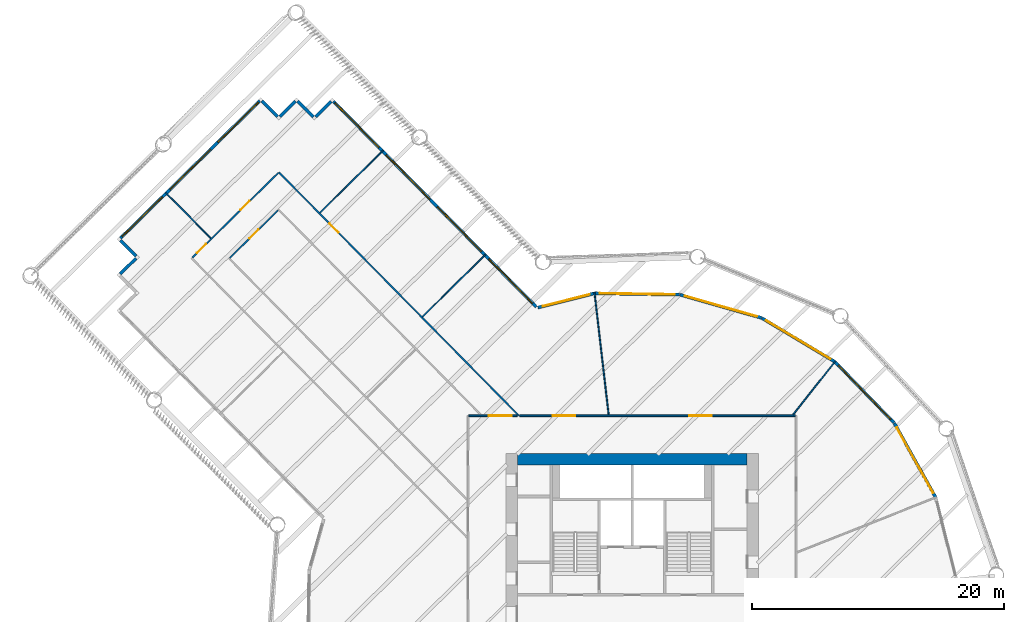
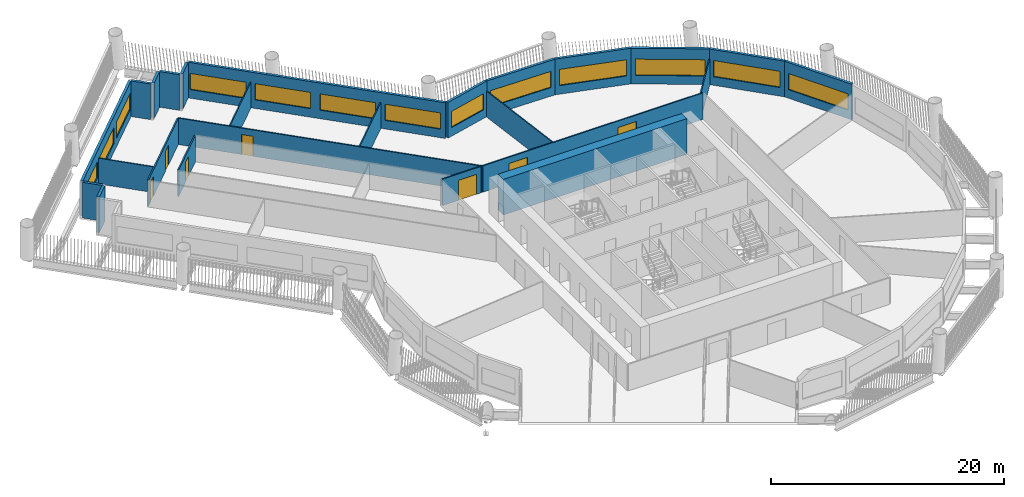
# One storey, part 7 of 15: 25 walls, 13 windows, 7 doors, 20 openings.
"""IFC4 building model written with IfcOpenShell, lengths in metres."""

from ifc_helpers import new_model, si_unit, direction, frame, frame_2d, origin, place, context, subcontext, project, spatial, rectangle, extrude, material, layer, layer_set, type_object, element, fill, save


model = new_model("IFC4")

# Units and contexts
model_context = context("Model", 3, precision=1e-05, world=origin(), true_north=direction((0.0, 1.0)))
body_context = subcontext(model_context, "Body", "Model", "MODEL_VIEW")
ifc_project = project(units=[si_unit("LENGTHUNIT", "METRE"), si_unit("AREAUNIT", "SQUARE_METRE"), si_unit("VOLUMEUNIT", "CUBIC_METRE"), si_unit("PLANEANGLEUNIT", "RADIAN"), si_unit("MASSUNIT", "GRAM", prefix="KILO")], contexts=[model_context])

# Site, building, storey
site_placement = place(None, origin())
site = spatial("IfcSite", under=ifc_project, at=site_placement, CompositionType="ELEMENT")
building_placement = place(site_placement, origin())
building = spatial("IfcBuilding", under=site, at=building_placement, Name="Tarsis Ring Headquarters", CompositionType="ELEMENT")
storey_placement = place(building_placement, frame((0.0, 0.0, 75.10009765625)))
storey = spatial("IfcBuildingStorey", under=building, at=storey_placement, Name="L16", CompositionType="ELEMENT", Elevation=75.10009765625)

# Walls
ifc_material_1 = material(Name="Concrete C60/75", Category="concrete")
ifc_layer_1 = layer(ifc_material_1, 0.89990234375)
ifc_layer_set_1 = layer_set([ifc_layer_1], Name="Core wall 900 C60/75")
wall_type_1 = type_object("IfcWallType", Name="Core wall 900 C60/75", PredefinedType="SHEAR", material=ifc_layer_set_1)
wall_1_placement = place(storey_placement, frame((-9.10009765625, 12.550048828125, 0.0), z_axis=(0.0, 0.0, 1.0), x_axis=(1.0, 0.0, 0.0)))
element("IfcWall", 1, at=wall_1_placement, inside=storey, type_object=wall_type_1, Name="Core wall ON", PredefinedType="SHEAR", context=body_context, shape_type="SweptSolid", body=[
    extrude(rectangle(XDim=18.2001953125, YDim=0.89990234375, at=frame_2d((9.10009765625, 0.0))), origin(), (0.0, 0.0, 1.0), 3.739990234375),
])
ifc_material_2 = material(Name="Gypsum board on steel studs", Category="steel")
ifc_layer_2 = layer(ifc_material_2, 0.10009765625)
ifc_layer_set_2 = layer_set([ifc_layer_2], Name="FL partition 100 unrated")
wall_type_2 = type_object("IfcWallType", Name="FL partition 100 unrated", PredefinedType="PARTITIONING", material=ifc_layer_set_2)
wall_2_placement = place(storey_placement, frame((-2.982421875, 25.77587890625, 0.0), z_axis=(0.0, 0.0, 1.0), x_axis=(0.114936118694, -0.993372884983, 0.0)))
element("IfcWall", 2, at=wall_2_placement, inside=storey, type_object=wall_type_2, Name="Partition PW3", PredefinedType="PARTITIONING", context=body_context, shape_type="SweptSolid", body=[
    extrude(rectangle(XDim=9.77099609375, YDim=0.10009765625, at=frame_2d((4.885498046875, 0.0))), origin(), (0.0, 0.0, 1.0), 2.699951171875),
])
for number, where, z_axis, x_axis, name in (
    (3, (-24.73046875, 32.085205078125, 0.0), (0.0, 0.0, 1.0), (0.712038273543, 0.702140653295, 0.0), "Partition PW3"),
    (4, (-16.6064453125, 23.846923828125, 0.0), (0.0, 0.0, 1.0), (0.712003788929, 0.702175622298, 0.0), "Partition PW3"),
):
    element("IfcWall", number, at=place(storey_placement, frame(where, z_axis=z_axis, x_axis=x_axis)), inside=storey, type_object=wall_type_2, Name=name, PredefinedType="PARTITIONING", context=body_context, shape_type="SweptSolid", body=[
        extrude(rectangle(XDim=7.030029296875, YDim=0.10009765625, at=frame_2d((3.51513671875, 0.0))), origin(), (0.0, 0.0, 1.0), 2.699951171875),
    ])
wall_3_placement = place(storey_placement, frame((12.749755859375, 16.086181640625, 0.0), z_axis=(0.0, 0.0, 1.0), x_axis=(0.621141131081, 0.783698727369, 0.0)))
element("IfcWall", 5, at=wall_3_placement, inside=storey, type_object=wall_type_2, Name="Partition PW3", PredefinedType="PARTITIONING", context=body_context, shape_type="SweptSolid", body=[
    extrude(rectangle(XDim=5.421875, YDim=0.10009765625, at=frame_2d((2.7109375, 0.0))), origin(), (0.0, 0.0, 1.0), 2.699951171875),
])
wall_4_placement = place(storey_placement, frame((-36.9736328125, 33.69091796875, 0.0), z_axis=(0.0, 0.0, 1.0), x_axis=(0.702158967782, -0.712020213171, 0.0)))
element("IfcWall", 6, at=wall_4_placement, inside=storey, type_object=wall_type_2, Name="Partition PW3", PredefinedType="PARTITIONING", context=body_context, shape_type="SweptSolid", body=[
    extrude(rectangle(XDim=5.10009765625, YDim=0.10009765625, at=frame_2d((2.550048828125, 0.0))), origin(), (0.0, 0.0, 1.0), 2.699951171875),
])

# Wall, opening, door
ifc_layer_3 = layer(ifc_material_2, 0.125)
ifc_layer_set_3 = layer_set([ifc_layer_3], Name="FL partition 125 EI 60 H2770")
wall_type_3 = type_object("IfcWallType", Name="FL partition 125 EI 60 H2770", PredefinedType="PARTITIONING", material=ifc_layer_set_3)
wall_5_placement = place(storey_placement, frame((-27.989013671875, 35.2900390625, 0.0), z_axis=(0.0, 0.0, 1.0), x_axis=(0.702151156115, -0.712027916564, 0.0)))
wall_5 = element("IfcWall", 7, at=wall_5_placement, inside=storey, type_object=wall_type_3, Name="Partition PW1", PredefinedType="PARTITIONING", context=body_context, shape_type="SweptSolid", body=[
    extrude(rectangle(XDim=27.091796875, YDim=0.125, at=frame_2d((13.5458984375, 0.0))), origin(), (0.0, 0.0, 1.0), 2.77001953125),
])
opening_1_placement = place(wall_5_placement, frame((5.704345703125, 0.0, 0.0)))
opening_1 = element("IfcOpeningElement", 8, at=opening_1_placement, cuts=wall_5, Name="Opening D16.03", PredefinedType="OPENING", context=body_context, shape_type="SweptSolid", body=[
    extrude(rectangle(XDim=1.0, YDim=2.10009765625, at=frame_2d((0.5, 1.050048828125))), frame((0.0, 0.072509765625, 0.0), z_axis=(0.0, -1.0, 0.0), x_axis=(1.0, 0.0, 0.0)), (0.0, 0.0, 1.0), 0.14501953125),
])
ifc_material_3 = material(Name="Fire-rated timber door leaf in steel frame", Category="steel")
door_type_1 = type_object("IfcDoorType", Name="FL door FD60-1000", OperationType="NOTDEFINED", PredefinedType="DOOR", material=ifc_material_3)
door_1_placement = place(opening_1_placement, origin())
door_1 = element("IfcDoor", 9, at=door_1_placement, inside=storey, type_object=door_type_1, Name="Door D16.03", OperationType="SINGLE_SWING_LEFT", OverallHeight=2.10009765625, OverallWidth=1.0, PredefinedType="DOOR", context=body_context, shape_type="SweptSolid", body=[
    extrude(rectangle(XDim=1.0, YDim=2.10009765625, at=frame_2d((0.5, 1.050048828125))), frame((0.0, 0.02490234375, 0.0), z_axis=(0.0, -1.0, 0.0), x_axis=(1.0, 0.0, 0.0)), (0.0, 0.0, 1.0), 0.050048828125),
])
fill(opening_1, door_1)

wall_6_placement = place(storey_placement, frame((-12.93896484375, 16.0, 0.0), z_axis=(0.0, 0.0, 1.0), x_axis=(1.0, 0.0, 0.0)))
wall_6 = element("IfcWall", 10, at=wall_6_placement, inside=storey, type_object=wall_type_3, Name="Partition PW1", PredefinedType="PARTITIONING", context=body_context, shape_type="SweptSolid", body=[
    extrude(rectangle(XDim=3.822998046875, YDim=0.125, at=frame_2d((1.91162109375, 0.0))), origin(), (0.0, 0.0, 1.0), 2.77001953125),
])
opening_2_placement = place(wall_6_placement, frame((1.59765625, 0.0, 0.0)))
opening_2 = element("IfcOpeningElement", 11, at=opening_2_placement, cuts=wall_6, Name="Opening D16.24", PredefinedType="OPENING", context=body_context, shape_type="SweptSolid", body=[
    extrude(rectangle(XDim=1.800048828125, YDim=2.10009765625, at=frame_2d((0.89990234375, 1.050048828125))), frame((0.0, 0.072509765625, 0.0), z_axis=(0.0, -1.0, 0.0), x_axis=(1.0, 0.0, 0.0)), (0.0, 0.0, 1.0), 0.14501953125),
])
door_type_2 = type_object("IfcDoorType", Name="FL door FD60-1800", OperationType="DOUBLE_DOOR_SINGLE_SWING", PredefinedType="DOOR", material=ifc_material_3)
door_2_placement = place(opening_2_placement, origin())
door_2 = element("IfcDoor", 12, at=door_2_placement, inside=storey, type_object=door_type_2, Name="Door D16.24", OperationType="DOUBLE_DOOR_SINGLE_SWING", OverallHeight=2.10009765625, OverallWidth=1.800048828125, PredefinedType="DOOR", context=body_context, shape_type="SweptSolid", body=[
    extrude(rectangle(XDim=1.800048828125, YDim=2.10009765625, at=frame_2d((0.89990234375, 1.050048828125))), frame((0.0, 0.02490234375, 0.0), z_axis=(0.0, -1.0, 0.0), x_axis=(1.0, 0.0, 0.0)), (0.0, 0.0, 1.0), 0.050048828125),
])
fill(opening_2, door_2)

# Wall, openings, doors
wall_7_placement = place(storey_placement, frame((-8.922119140625, 16.0, 0.0), z_axis=(0.0, 0.0, 1.0), x_axis=(1.0, 0.0, 0.0)))
wall_7 = element("IfcWall", 13, at=wall_7_placement, inside=storey, type_object=wall_type_3, Name="Partition PW1", PredefinedType="PARTITIONING", context=body_context, shape_type="SweptSolid", body=[
    extrude(rectangle(XDim=21.862060546875, YDim=0.125, at=frame_2d((10.93115234375, 0.0))), origin(), (0.0, 0.0, 1.0), 2.77001953125),
])
opening_3_placement = place(wall_7_placement, frame((2.61328125, 0.0, 0.0)))
opening_3 = element("IfcOpeningElement", 14, at=opening_3_placement, cuts=wall_7, Name="Opening D16.04", PredefinedType="OPENING", context=body_context, shape_type="SweptSolid", body=[
    extrude(rectangle(XDim=1.800048828125, YDim=2.10009765625, at=frame_2d((0.89990234375, 1.050048828125))), frame((0.0, 0.072509765625, 0.0), z_axis=(0.0, -1.0, 0.0), x_axis=(1.0, 0.0, 0.0)), (0.0, 0.0, 1.0), 0.14501953125),
])
opening_4_placement = place(wall_7_placement, frame((13.437255859375, 0.0, 0.0)))
opening_4 = element("IfcOpeningElement", 15, at=opening_4_placement, cuts=wall_7, Name="Opening D16.05", PredefinedType="OPENING", context=body_context, shape_type="SweptSolid", body=[
    extrude(rectangle(XDim=1.800048828125, YDim=2.10009765625, at=frame_2d((0.89990234375, 1.050048828125))), frame((0.0, 0.072509765625, 0.0), z_axis=(0.0, -1.0, 0.0), x_axis=(1.0, 0.0, 0.0)), (0.0, 0.0, 1.0), 0.14501953125),
])
door_3_placement = place(opening_3_placement, origin())
door_3 = element("IfcDoor", 16, at=door_3_placement, inside=storey, type_object=door_type_2, Name="Door D16.04", OperationType="DOUBLE_DOOR_SINGLE_SWING", OverallHeight=2.10009765625, OverallWidth=1.800048828125, PredefinedType="DOOR", context=body_context, shape_type="SweptSolid", body=[
    extrude(rectangle(XDim=1.800048828125, YDim=2.10009765625, at=frame_2d((0.89990234375, 1.050048828125))), frame((0.0, 0.02490234375, 0.0), z_axis=(0.0, -1.0, 0.0), x_axis=(1.0, 0.0, 0.0)), (0.0, 0.0, 1.0), 0.050048828125),
])
fill(opening_3, door_3)
door_4_placement = place(opening_4_placement, origin())
door_4 = element("IfcDoor", 17, at=door_4_placement, inside=storey, type_object=door_type_2, Name="Door D16.05", OperationType="DOUBLE_DOOR_SINGLE_SWING", OverallHeight=2.10009765625, OverallWidth=1.800048828125, PredefinedType="DOOR", context=body_context, shape_type="SweptSolid", body=[
    extrude(rectangle(XDim=1.800048828125, YDim=2.10009765625, at=frame_2d((0.89990234375, 1.050048828125))), frame((0.0, 0.02490234375, 0.0), z_axis=(0.0, -1.0, 0.0), x_axis=(1.0, 0.0, 0.0)), (0.0, 0.0, 1.0), 0.050048828125),
])
fill(opening_4, door_4)

wall_8_placement = place(storey_placement, frame((-34.85302734375, 28.521240234375, 0.0), z_axis=(0.0, 0.0, 1.0), x_axis=(0.712033466235, 0.702145528336, 0.0)))
wall_8 = element("IfcWall", 18, at=wall_8_placement, inside=storey, type_object=wall_type_3, Name="Partition PW1", PredefinedType="PARTITIONING", context=body_context, shape_type="SweptSolid", body=[
    extrude(rectangle(XDim=9.580078125, YDim=0.125, at=frame_2d((4.7900390625, 0.0))), origin(), (0.0, 0.0, 1.0), 2.77001953125),
])
opening_5_placement = place(wall_8_placement, frame((0.53173828125, 0.0, 0.0)))
opening_5 = element("IfcOpeningElement", 19, at=opening_5_placement, cuts=wall_8, Name="Opening D16.01", PredefinedType="OPENING", context=body_context, shape_type="SweptSolid", body=[
    extrude(rectangle(XDim=1.0, YDim=2.10009765625, at=frame_2d((0.5, 1.050048828125))), frame((0.0, 0.072509765625, 0.0), z_axis=(0.0, -1.0, 0.0), x_axis=(1.0, 0.0, 0.0)), (0.0, 0.0, 1.0), 0.14501953125),
])
opening_6_placement = place(wall_8_placement, frame((5.381591796875, 0.0, 0.0)))
opening_6 = element("IfcOpeningElement", 20, at=opening_6_placement, cuts=wall_8, Name="Opening D16.02", PredefinedType="OPENING", context=body_context, shape_type="SweptSolid", body=[
    extrude(rectangle(XDim=1.0, YDim=2.10009765625, at=frame_2d((0.5, 1.050048828125))), frame((0.0, 0.072509765625, 0.0), z_axis=(0.0, -1.0, 0.0), x_axis=(1.0, 0.0, 0.0)), (0.0, 0.0, 1.0), 0.14501953125),
])
door_5_placement = place(opening_5_placement, origin())
door_5 = element("IfcDoor", 21, at=door_5_placement, inside=storey, type_object=door_type_1, Name="Door D16.01", OperationType="SINGLE_SWING_LEFT", OverallHeight=2.10009765625, OverallWidth=1.0, PredefinedType="DOOR", context=body_context, shape_type="SweptSolid", body=[
    extrude(rectangle(XDim=1.0, YDim=2.10009765625, at=frame_2d((0.5, 1.050048828125))), frame((0.0, 0.02490234375, 0.0), z_axis=(0.0, -1.0, 0.0), x_axis=(1.0, 0.0, 0.0)), (0.0, 0.0, 1.0), 0.050048828125),
])
fill(opening_5, door_5)
door_6_placement = place(opening_6_placement, origin())
door_6 = element("IfcDoor", 22, at=door_6_placement, inside=storey, type_object=door_type_1, Name="Door D16.02", OperationType="SINGLE_SWING_RIGHT", OverallHeight=2.10009765625, OverallWidth=1.0, PredefinedType="DOOR", context=body_context, shape_type="SweptSolid", body=[
    extrude(rectangle(XDim=1.0, YDim=2.10009765625, at=frame_2d((0.5, 1.050048828125))), frame((0.0, 0.02490234375, 0.0), z_axis=(0.0, -1.0, 0.0), x_axis=(1.0, 0.0, 0.0)), (0.0, 0.0, 1.0), 0.050048828125),
])
fill(opening_6, door_6)

# Wall, opening, door
wall_9_placement = place(storey_placement, frame((-31.88330078125, 28.50048828125, 0.0), z_axis=(0.0, 0.0, 1.0), x_axis=(0.712035749555, 0.702143212853, 0.0)))
wall_9 = element("IfcWall", 23, at=wall_9_placement, inside=storey, type_object=wall_type_3, Name="Partition PW1", PredefinedType="PARTITIONING", context=body_context, shape_type="SweptSolid", body=[
    extrude(rectangle(XDim=5.380126953125, YDim=0.125, at=frame_2d((2.68994140625, 0.0))), origin(), (0.0, 0.0, 1.0), 2.77001953125),
])
opening_7_placement = place(wall_9_placement, frame((2.18994140625, 0.0, 0.0)))
opening_7 = element("IfcOpeningElement", 24, at=opening_7_placement, cuts=wall_9, Name="Opening D16.17", PredefinedType="OPENING", context=body_context, shape_type="SweptSolid", body=[
    extrude(rectangle(XDim=1.0, YDim=2.10009765625, at=frame_2d((0.5, 1.050048828125))), frame((0.0, 0.072509765625, 0.0), z_axis=(0.0, -1.0, 0.0), x_axis=(1.0, 0.0, 0.0)), (0.0, 0.0, 1.0), 0.14501953125),
])
door_7_placement = place(opening_7_placement, origin())
door_7 = element("IfcDoor", 25, at=door_7_placement, inside=storey, type_object=door_type_1, Name="Door D16.17", OperationType="SINGLE_SWING_LEFT", OverallHeight=2.10009765625, OverallWidth=1.0, PredefinedType="DOOR", context=body_context, shape_type="SweptSolid", body=[
    extrude(rectangle(XDim=1.0, YDim=2.10009765625, at=frame_2d((0.5, 1.050048828125))), frame((0.0, 0.02490234375, 0.0), z_axis=(0.0, -1.0, 0.0), x_axis=(1.0, 0.0, 0.0)), (0.0, 0.0, 1.0), 0.050048828125),
])
fill(opening_7, door_7)

# Wall, opening, window
ifc_material_4 = material(Name="Terracotta clad insulated panel wall", Category="masonry")
ifc_layer_4 = layer(ifc_material_4, 0.25)
ifc_layer_set_4 = layer_set([ifc_layer_4], Name="Facade wall terracotta panel 250")
wall_type_4 = type_object("IfcWallType", Name="Facade wall terracotta panel 250", PredefinedType="STANDARD", material=ifc_layer_set_4)
wall_10_placement = place(storey_placement, frame((24.049072265625, 9.539306640625, 0.0), z_axis=(0.0, 0.0, 1.0), x_axis=(-0.486352079014, 0.87376292851, 0.0)))
wall_10 = element("IfcWall", 26, at=wall_10_placement, inside=storey, type_object=wall_type_4, Name="External wall L16-25", PredefinedType="STANDARD", context=body_context, shape_type="SweptSolid", body=[
    extrude(rectangle(XDim=6.721435546875, YDim=0.25, at=frame_2d((3.36083984375, 0.0))), origin(), (0.0, 0.0, 1.0), 3.739990234375),
])
opening_8_placement = place(wall_10_placement, frame((0.3857421875, 0.0, 0.89990234375)))
opening_8 = element("IfcOpeningElement", 27, at=opening_8_placement, cuts=wall_10, Name="Opening WN07", PredefinedType="OPENING", context=body_context, shape_type="SweptSolid", body=[
    extrude(rectangle(XDim=5.949951171875, YDim=1.699951171875, at=frame_2d((2.97509765625, 0.85009765625))), frame((0.0, 0.135009765625, 0.0), z_axis=(0.0, -1.0, 0.0), x_axis=(1.0, 0.0, 0.0)), (0.0, 0.0, 1.0), 0.27001953125),
])
ifc_material_5 = material(Name="Aluminium framed double glazing", Category="aluminium")
window_type_1 = type_object("IfcWindowType", Name="Facade window 5950 x 1700", PartitioningType="SINGLE_PANEL", PredefinedType="WINDOW", material=ifc_material_5)
window_1_placement = place(opening_8_placement, origin())
window_1 = element("IfcWindow", 28, at=window_1_placement, inside=storey, type_object=window_type_1, Name="Window L16-25.1", OverallHeight=1.699951171875, OverallWidth=5.949951171875, PartitioningType="SINGLE_PANEL", PredefinedType="WINDOW", context=body_context, shape_type="SweptSolid", body=[
    extrude(rectangle(XDim=5.949951171875, YDim=1.699951171875, at=frame_2d((2.97509765625, 0.85009765625))), frame((0.0, 0.030029296875, 0.0), z_axis=(0.0, -1.0, 0.0), x_axis=(1.0, 0.0, 0.0)), (0.0, 0.0, 1.0), 0.06005859375),
])
fill(opening_8, window_1)

wall_11_placement = place(storey_placement, frame((20.760498046875, 15.4384765625, 0.0), z_axis=(0.0, 0.0, 1.0), x_axis=(-0.695904706201, 0.71813413781, 0.0)))
wall_11 = element("IfcWall", 29, at=wall_11_placement, inside=storey, type_object=wall_type_4, Name="External wall L16-26", PredefinedType="STANDARD", context=body_context, shape_type="SweptSolid", body=[
    extrude(rectangle(XDim=6.721435546875, YDim=0.25, at=frame_2d((3.36083984375, 0.0))), origin(), (0.0, 0.0, 1.0), 3.739990234375),
])
opening_9_placement = place(wall_11_placement, frame((0.3857421875, 0.0, 0.89990234375)))
opening_9 = element("IfcOpeningElement", 30, at=opening_9_placement, cuts=wall_11, Name="Opening WN07", PredefinedType="OPENING", context=body_context, shape_type="SweptSolid", body=[
    extrude(rectangle(XDim=5.949951171875, YDim=1.699951171875, at=frame_2d((2.97509765625, 0.85009765625))), frame((0.0, 0.135009765625, 0.0), z_axis=(0.0, -1.0, 0.0), x_axis=(1.0, 0.0, 0.0)), (0.0, 0.0, 1.0), 0.27001953125),
])
window_2_placement = place(opening_9_placement, origin())
window_2 = element("IfcWindow", 31, at=window_2_placement, inside=storey, type_object=window_type_1, Name="Window L16-26.1", OverallHeight=1.699951171875, OverallWidth=5.949951171875, PartitioningType="SINGLE_PANEL", PredefinedType="WINDOW", context=body_context, shape_type="SweptSolid", body=[
    extrude(rectangle(XDim=5.949951171875, YDim=1.699951171875, at=frame_2d((2.97509765625, 0.85009765625))), frame((0.0, 0.030029296875, 0.0), z_axis=(0.0, -1.0, 0.0), x_axis=(1.0, 0.0, 0.0)), (0.0, 0.0, 1.0), 0.06005859375),
])
fill(opening_9, window_2)

wall_12_placement = place(storey_placement, frame((16.057373046875, 20.28564453125, 0.0), z_axis=(0.0, 0.0, 1.0), x_axis=(-0.85805966125, 0.513550014833, 0.0)))
wall_12 = element("IfcWall", 32, at=wall_12_placement, inside=storey, type_object=wall_type_4, Name="External wall L16-27", PredefinedType="STANDARD", context=body_context, shape_type="SweptSolid", body=[
    extrude(rectangle(XDim=6.7216796875, YDim=0.25, at=frame_2d((3.36083984375, 0.0))), origin(), (0.0, 0.0, 1.0), 3.739990234375),
])
opening_10_placement = place(wall_12_placement, frame((0.3857421875, 0.0, 0.89990234375)))
opening_10 = element("IfcOpeningElement", 33, at=opening_10_placement, cuts=wall_12, Name="Opening WN07", PredefinedType="OPENING", context=body_context, shape_type="SweptSolid", body=[
    extrude(rectangle(XDim=5.949951171875, YDim=1.699951171875, at=frame_2d((2.97509765625, 0.85009765625))), frame((0.0, 0.135009765625, 0.0), z_axis=(0.0, -1.0, 0.0), x_axis=(1.0, 0.0, 0.0)), (0.0, 0.0, 1.0), 0.27001953125),
])
window_3_placement = place(opening_10_placement, origin())
window_3 = element("IfcWindow", 34, at=window_3_placement, inside=storey, type_object=window_type_1, Name="Window L16-27.1", OverallHeight=1.699951171875, OverallWidth=5.949951171875, PartitioningType="SINGLE_PANEL", PredefinedType="WINDOW", context=body_context, shape_type="SweptSolid", body=[
    extrude(rectangle(XDim=5.949951171875, YDim=1.699951171875, at=frame_2d((2.97509765625, 0.85009765625))), frame((0.0, 0.030029296875, 0.0), z_axis=(0.0, -1.0, 0.0), x_axis=(1.0, 0.0, 0.0)), (0.0, 0.0, 1.0), 0.06005859375),
])
fill(opening_10, window_3)

wall_13_placement = place(storey_placement, frame((10.260009765625, 23.75048828125, 0.0), z_axis=(0.0, 0.0, 1.0), x_axis=(-0.961745680206, 0.273943874919, 0.0)))
wall_13 = element("IfcWall", 35, at=wall_13_placement, inside=storey, type_object=wall_type_4, Name="External wall L16-28", PredefinedType="STANDARD", context=body_context, shape_type="SweptSolid", body=[
    extrude(rectangle(XDim=6.721435546875, YDim=0.25, at=frame_2d((3.36083984375, 0.0))), origin(), (0.0, 0.0, 1.0), 3.739990234375),
])
opening_11_placement = place(wall_13_placement, frame((0.3857421875, 0.0, 0.89990234375)))
opening_11 = element("IfcOpeningElement", 36, at=opening_11_placement, cuts=wall_13, Name="Opening WN07", PredefinedType="OPENING", context=body_context, shape_type="SweptSolid", body=[
    extrude(rectangle(XDim=5.949951171875, YDim=1.699951171875, at=frame_2d((2.97509765625, 0.85009765625))), frame((0.0, 0.135009765625, 0.0), z_axis=(0.0, -1.0, 0.0), x_axis=(1.0, 0.0, 0.0)), (0.0, 0.0, 1.0), 0.27001953125),
])
window_4_placement = place(opening_11_placement, origin())
window_4 = element("IfcWindow", 37, at=window_4_placement, inside=storey, type_object=window_type_1, Name="Window L16-28.1", OverallHeight=1.699951171875, OverallWidth=5.949951171875, PartitioningType="SINGLE_PANEL", PredefinedType="WINDOW", context=body_context, shape_type="SweptSolid", body=[
    extrude(rectangle(XDim=5.949951171875, YDim=1.699951171875, at=frame_2d((2.97509765625, 0.85009765625))), frame((0.0, 0.030029296875, 0.0), z_axis=(0.0, -1.0, 0.0), x_axis=(1.0, 0.0, 0.0)), (0.0, 0.0, 1.0), 0.06005859375),
])
fill(opening_11, window_4)

wall_14_placement = place(storey_placement, frame((3.76318359375, 25.5966796875, 0.0), z_axis=(0.0, 0.0, 1.0), x_axis=(-0.99987688585, 0.015691180423, 0.0)))
wall_14 = element("IfcWall", 38, at=wall_14_placement, inside=storey, type_object=wall_type_4, Name="External wall L16-29", PredefinedType="STANDARD", context=body_context, shape_type="SweptSolid", body=[
    extrude(rectangle(XDim=6.721435546875, YDim=0.25, at=frame_2d((3.36083984375, 0.0))), origin(), (0.0, 0.0, 1.0), 3.739990234375),
])
opening_12_placement = place(wall_14_placement, frame((0.3857421875, 0.0, 0.89990234375)))
opening_12 = element("IfcOpeningElement", 39, at=opening_12_placement, cuts=wall_14, Name="Opening WN07", PredefinedType="OPENING", context=body_context, shape_type="SweptSolid", body=[
    extrude(rectangle(XDim=5.949951171875, YDim=1.699951171875, at=frame_2d((2.97509765625, 0.85009765625))), frame((0.0, 0.135009765625, 0.0), z_axis=(0.0, -1.0, 0.0), x_axis=(1.0, 0.0, 0.0)), (0.0, 0.0, 1.0), 0.27001953125),
])
window_5_placement = place(opening_12_placement, origin())
window_5 = element("IfcWindow", 40, at=window_5_placement, inside=storey, type_object=window_type_1, Name="Window L16-29.1", OverallHeight=1.699951171875, OverallWidth=5.949951171875, PartitioningType="SINGLE_PANEL", PredefinedType="WINDOW", context=body_context, shape_type="SweptSolid", body=[
    extrude(rectangle(XDim=5.949951171875, YDim=1.699951171875, at=frame_2d((2.97509765625, 0.85009765625))), frame((0.0, 0.030029296875, 0.0), z_axis=(0.0, -1.0, 0.0), x_axis=(1.0, 0.0, 0.0)), (0.0, 0.0, 1.0), 0.06005859375),
])
fill(opening_12, window_5)

wall_15_placement = place(storey_placement, frame((-2.98974609375, 25.698486328125, 0.0), z_axis=(0.0, 0.0, 1.0), x_axis=(-0.96987133453, -0.243617721969, 0.0)))
wall_15 = element("IfcWall", 41, at=wall_15_placement, inside=storey, type_object=wall_type_4, Name="External wall L16-30", PredefinedType="STANDARD", context=body_context, shape_type="SweptSolid", body=[
    extrude(rectangle(XDim=4.617919921875, YDim=0.25, at=frame_2d((2.30908203125, 0.0))), origin(), (0.0, 0.0, 1.0), 3.739990234375),
])
opening_13_placement = place(wall_15_placement, frame((0.367431640625, 0.0, 0.89990234375)))
opening_13 = element("IfcOpeningElement", 42, at=opening_13_placement, cuts=wall_15, Name="Opening WN02", PredefinedType="OPENING", context=body_context, shape_type="SweptSolid", body=[
    extrude(rectangle(XDim=3.85009765625, YDim=1.699951171875, at=frame_2d((1.925048828125, 0.85009765625))), frame((0.0, 0.135009765625, 0.0), z_axis=(0.0, -1.0, 0.0), x_axis=(1.0, 0.0, 0.0)), (0.0, 0.0, 1.0), 0.27001953125),
])
window_type_2 = type_object("IfcWindowType", Name="Facade window 3850 x 1700", PartitioningType="SINGLE_PANEL", PredefinedType="WINDOW", material=ifc_material_5)
window_6_placement = place(opening_13_placement, origin())
window_6 = element("IfcWindow", 43, at=window_6_placement, inside=storey, type_object=window_type_2, Name="Window L16-30.1", OverallHeight=1.699951171875, OverallWidth=3.85009765625, PartitioningType="SINGLE_PANEL", PredefinedType="WINDOW", context=body_context, shape_type="SweptSolid", body=[
    extrude(rectangle(XDim=3.85009765625, YDim=1.699951171875, at=frame_2d((1.925048828125, 0.85009765625))), frame((0.0, 0.030029296875, 0.0), z_axis=(0.0, -1.0, 0.0), x_axis=(1.0, 0.0, 0.0)), (0.0, 0.0, 1.0), 0.06005859375),
])
fill(opening_13, window_6)

# Wall, openings, windows
wall_16_placement = place(storey_placement, frame((-7.587890625, 24.60693359375, 0.0), z_axis=(0.0, 0.0, 1.0), x_axis=(-0.702153743406, 0.712025365153, 0.0)))
wall_16 = element("IfcWall", 44, at=wall_16_placement, inside=storey, type_object=wall_type_4, Name="External wall L16-31", PredefinedType="STANDARD", context=body_context, shape_type="SweptSolid", body=[
    extrude(rectangle(XDim=22.9013671875, YDim=0.25, at=frame_2d((11.45068359375, 0.0))), origin(), (0.0, 0.0, 1.0), 3.739990234375),
])
opening_14_placement = place(wall_16_placement, frame((0.4189453125, 0.0, 0.89990234375)))
opening_14 = element("IfcOpeningElement", 45, at=opening_14_placement, cuts=wall_16, Name="Opening WN05", PredefinedType="OPENING", context=body_context, shape_type="SweptSolid", body=[
    extrude(rectangle(XDim=4.949951171875, YDim=1.699951171875, at=frame_2d((2.47509765625, 0.85009765625))), frame((0.0, 0.135009765625, 0.0), z_axis=(0.0, -1.0, 0.0), x_axis=(1.0, 0.0, 0.0)), (0.0, 0.0, 1.0), 0.27001953125),
])
opening_15_placement = place(wall_16_placement, frame((6.206787109375, 0.0, 0.89990234375)))
opening_15 = element("IfcOpeningElement", 46, at=opening_15_placement, cuts=wall_16, Name="Opening WN05", PredefinedType="OPENING", context=body_context, shape_type="SweptSolid", body=[
    extrude(rectangle(XDim=4.949951171875, YDim=1.699951171875, at=frame_2d((2.47509765625, 0.85009765625))), frame((0.0, 0.135009765625, 0.0), z_axis=(0.0, -1.0, 0.0), x_axis=(1.0, 0.0, 0.0)), (0.0, 0.0, 1.0), 0.27001953125),
])
opening_16_placement = place(wall_16_placement, frame((11.99462890625, 0.0, 0.89990234375)))
opening_16 = element("IfcOpeningElement", 47, at=opening_16_placement, cuts=wall_16, Name="Opening WN05", PredefinedType="OPENING", context=body_context, shape_type="SweptSolid", body=[
    extrude(rectangle(XDim=4.949951171875, YDim=1.699951171875, at=frame_2d((2.47509765625, 0.85009765625))), frame((0.0, 0.135009765625, 0.0), z_axis=(0.0, -1.0, 0.0), x_axis=(1.0, 0.0, 0.0)), (0.0, 0.0, 1.0), 0.27001953125),
])
opening_17_placement = place(wall_16_placement, frame((17.782470703125, 0.0, 0.89990234375)))
opening_17 = element("IfcOpeningElement", 48, at=opening_17_placement, cuts=wall_16, Name="Opening WN05", PredefinedType="OPENING", context=body_context, shape_type="SweptSolid", body=[
    extrude(rectangle(XDim=4.949951171875, YDim=1.699951171875, at=frame_2d((2.47509765625, 0.85009765625))), frame((0.0, 0.135009765625, 0.0), z_axis=(0.0, -1.0, 0.0), x_axis=(1.0, 0.0, 0.0)), (0.0, 0.0, 1.0), 0.27001953125),
])
window_type_3 = type_object("IfcWindowType", Name="Facade window 4950 x 1700", PartitioningType="SINGLE_PANEL", PredefinedType="WINDOW", material=ifc_material_5)
window_7_placement = place(opening_14_placement, origin())
window_7 = element("IfcWindow", 49, at=window_7_placement, inside=storey, type_object=window_type_3, Name="Window L16-31.1", OverallHeight=1.699951171875, OverallWidth=4.949951171875, PartitioningType="SINGLE_PANEL", PredefinedType="WINDOW", context=body_context, shape_type="SweptSolid", body=[
    extrude(rectangle(XDim=4.949951171875, YDim=1.699951171875, at=frame_2d((2.47509765625, 0.85009765625))), frame((0.0, 0.030029296875, 0.0), z_axis=(0.0, -1.0, 0.0), x_axis=(1.0, 0.0, 0.0)), (0.0, 0.0, 1.0), 0.06005859375),
])
fill(opening_14, window_7)
window_8_placement = place(opening_15_placement, origin())
window_8 = element("IfcWindow", 50, at=window_8_placement, inside=storey, type_object=window_type_3, Name="Window L16-31.2", OverallHeight=1.699951171875, OverallWidth=4.949951171875, PartitioningType="SINGLE_PANEL", PredefinedType="WINDOW", context=body_context, shape_type="SweptSolid", body=[
    extrude(rectangle(XDim=4.949951171875, YDim=1.699951171875, at=frame_2d((2.47509765625, 0.85009765625))), frame((0.0, 0.030029296875, 0.0), z_axis=(0.0, -1.0, 0.0), x_axis=(1.0, 0.0, 0.0)), (0.0, 0.0, 1.0), 0.06005859375),
])
fill(opening_15, window_8)
window_9_placement = place(opening_16_placement, origin())
window_9 = element("IfcWindow", 51, at=window_9_placement, inside=storey, type_object=window_type_3, Name="Window L16-31.3", OverallHeight=1.699951171875, OverallWidth=4.949951171875, PartitioningType="SINGLE_PANEL", PredefinedType="WINDOW", context=body_context, shape_type="SweptSolid", body=[
    extrude(rectangle(XDim=4.949951171875, YDim=1.699951171875, at=frame_2d((2.47509765625, 0.85009765625))), frame((0.0, 0.030029296875, 0.0), z_axis=(0.0, -1.0, 0.0), x_axis=(1.0, 0.0, 0.0)), (0.0, 0.0, 1.0), 0.06005859375),
])
fill(opening_16, window_9)
window_10_placement = place(opening_17_placement, origin())
window_10 = element("IfcWindow", 52, at=window_10_placement, inside=storey, type_object=window_type_3, Name="Window L16-31.4", OverallHeight=1.699951171875, OverallWidth=4.949951171875, PartitioningType="SINGLE_PANEL", PredefinedType="WINDOW", context=body_context, shape_type="SweptSolid", body=[
    extrude(rectangle(XDim=4.949951171875, YDim=1.699951171875, at=frame_2d((2.47509765625, 0.85009765625))), frame((0.0, 0.030029296875, 0.0), z_axis=(0.0, -1.0, 0.0), x_axis=(1.0, 0.0, 0.0)), (0.0, 0.0, 1.0), 0.06005859375),
])
fill(opening_17, window_10)

# Walls
for number, where, z_axis, x_axis, name in (
    (53, (-23.844970703125, 40.91455078125, 0.0), (0.0, 0.0, 1.0), (-0.712041923633, -0.702136951733, 0.0), "External wall L16-32"),
    (54, (-25.267822265625, 39.68701171875, 0.0), (0.0, 0.0, 1.0), (-0.702136951733, 0.712041923633, 0.0), "External wall L16-33"),
    (55, (-26.67333984375, 40.934326171875, 0.0), (0.0, 0.0, 1.0), (-0.712041923633, -0.702136951733, 0.0), "External wall L16-34"),
):
    element("IfcWall", number, at=place(storey_placement, frame(where, z_axis=z_axis, x_axis=x_axis)), inside=storey, type_object=wall_type_4, Name=name, PredefinedType="STANDARD", context=body_context, shape_type="SweptSolid", body=[
        extrude(rectangle(XDim=1.75, YDim=0.25, at=frame_2d((0.875, 0.0))), origin(), (0.0, 0.0, 1.0), 3.739990234375),
    ])
wall_17_placement = place(storey_placement, frame((-28.09619140625, 39.706787109375, 0.0), z_axis=(0.0, 0.0, 1.0), x_axis=(-0.702206701772, 0.711973137124, 0.0)))
element("IfcWall", 56, at=wall_17_placement, inside=storey, type_object=wall_type_4, Name="External wall L16-35", PredefinedType="STANDARD", context=body_context, shape_type="SweptSolid", body=[
    extrude(rectangle(XDim=1.749755859375, YDim=0.25, at=frame_2d((0.875, 0.0))), origin(), (0.0, 0.0, 1.0), 3.739990234375),
])

# Wall, openings, windows
wall_18_placement = place(storey_placement, frame((-29.501708984375, 40.9541015625, 0.0), z_axis=(0.0, 0.0, 1.0), x_axis=(-0.712019627625, -0.702159561551, 0.0)))
wall_18 = element("IfcWall", 57, at=wall_18_placement, inside=storey, type_object=wall_type_4, Name="External wall L16-36", PredefinedType="STANDARD", context=body_context, shape_type="SweptSolid", body=[
    extrude(rectangle(XDim=15.5, YDim=0.25, at=frame_2d((7.75, 0.0))), origin(), (0.0, 0.0, 1.0), 3.739990234375),
])
opening_18_placement = place(wall_18_placement, frame((0.166748046875, 0.0, 0.89990234375)))
opening_18 = element("IfcOpeningElement", 58, at=opening_18_placement, cuts=wall_18, Name="Opening WN04", PredefinedType="OPENING", context=body_context, shape_type="SweptSolid", body=[
    extrude(rectangle(XDim=4.5, YDim=1.699951171875, at=frame_2d((2.25, 0.85009765625))), frame((0.0, 0.135009765625, 0.0), z_axis=(0.0, -1.0, 0.0), x_axis=(1.0, 0.0, 0.0)), (0.0, 0.0, 1.0), 0.27001953125),
])
opening_19_placement = place(wall_18_placement, frame((5.5, 0.0, 0.89990234375)))
opening_19 = element("IfcOpeningElement", 59, at=opening_19_placement, cuts=wall_18, Name="Opening WN04", PredefinedType="OPENING", context=body_context, shape_type="SweptSolid", body=[
    extrude(rectangle(XDim=4.5, YDim=1.699951171875, at=frame_2d((2.25, 0.85009765625))), frame((0.0, 0.135009765625, 0.0), z_axis=(0.0, -1.0, 0.0), x_axis=(1.0, 0.0, 0.0)), (0.0, 0.0, 1.0), 0.27001953125),
])
opening_20_placement = place(wall_18_placement, frame((10.833251953125, 0.0, 0.89990234375)))
opening_20 = element("IfcOpeningElement", 60, at=opening_20_placement, cuts=wall_18, Name="Opening WN04", PredefinedType="OPENING", context=body_context, shape_type="SweptSolid", body=[
    extrude(rectangle(XDim=4.5, YDim=1.699951171875, at=frame_2d((2.25, 0.85009765625))), frame((0.0, 0.135009765625, 0.0), z_axis=(0.0, -1.0, 0.0), x_axis=(1.0, 0.0, 0.0)), (0.0, 0.0, 1.0), 0.27001953125),
])
window_type_4 = type_object("IfcWindowType", Name="Facade window 4500 x 1700", PartitioningType="SINGLE_PANEL", PredefinedType="WINDOW", material=ifc_material_5)
window_11_placement = place(opening_18_placement, origin())
window_11 = element("IfcWindow", 61, at=window_11_placement, inside=storey, type_object=window_type_4, Name="Window L16-36.1", OverallHeight=1.699951171875, OverallWidth=4.5, PartitioningType="SINGLE_PANEL", PredefinedType="WINDOW", context=body_context, shape_type="SweptSolid", body=[
    extrude(rectangle(XDim=4.5, YDim=1.699951171875, at=frame_2d((2.25, 0.85009765625))), frame((0.0, 0.030029296875, 0.0), z_axis=(0.0, -1.0, 0.0), x_axis=(1.0, 0.0, 0.0)), (0.0, 0.0, 1.0), 0.06005859375),
])
fill(opening_18, window_11)
window_12_placement = place(opening_19_placement, origin())
window_12 = element("IfcWindow", 62, at=window_12_placement, inside=storey, type_object=window_type_4, Name="Window L16-36.2", OverallHeight=1.699951171875, OverallWidth=4.5, PartitioningType="SINGLE_PANEL", PredefinedType="WINDOW", context=body_context, shape_type="SweptSolid", body=[
    extrude(rectangle(XDim=4.5, YDim=1.699951171875, at=frame_2d((2.25, 0.85009765625))), frame((0.0, 0.030029296875, 0.0), z_axis=(0.0, -1.0, 0.0), x_axis=(1.0, 0.0, 0.0)), (0.0, 0.0, 1.0), 0.06005859375),
])
fill(opening_19, window_12)
window_13_placement = place(opening_20_placement, origin())
window_13 = element("IfcWindow", 63, at=window_13_placement, inside=storey, type_object=window_type_4, Name="Window L16-36.3", OverallHeight=1.699951171875, OverallWidth=4.5, PartitioningType="SINGLE_PANEL", PredefinedType="WINDOW", context=body_context, shape_type="SweptSolid", body=[
    extrude(rectangle(XDim=4.5, YDim=1.699951171875, at=frame_2d((2.25, 0.85009765625))), frame((0.0, 0.030029296875, 0.0), z_axis=(0.0, -1.0, 0.0), x_axis=(1.0, 0.0, 0.0)), (0.0, 0.0, 1.0), 0.06005859375),
])
fill(opening_20, window_13)

# Walls
for number, where, z_axis, x_axis, name in (
    (64, (-40.539306640625, 29.893798828125, 0.0), (0.0, 0.0, 1.0), (0.702136951733, -0.712041923633, 0.0), "External wall L16-37"),
    (65, (-39.311767578125, 28.470947265625, 0.0), (0.0, 0.0, 1.0), (-0.712041923633, -0.702136951733, 0.0), "External wall L16-38"),
):
    element("IfcWall", number, at=place(storey_placement, frame(where, z_axis=z_axis, x_axis=x_axis)), inside=storey, type_object=wall_type_4, Name=name, PredefinedType="STANDARD", context=body_context, shape_type="SweptSolid", body=[
        extrude(rectangle(XDim=1.75, YDim=0.25, at=frame_2d((0.875, 0.0))), origin(), (0.0, 0.0, 1.0), 3.739990234375),
    ])

save(model, "model.ifc")
